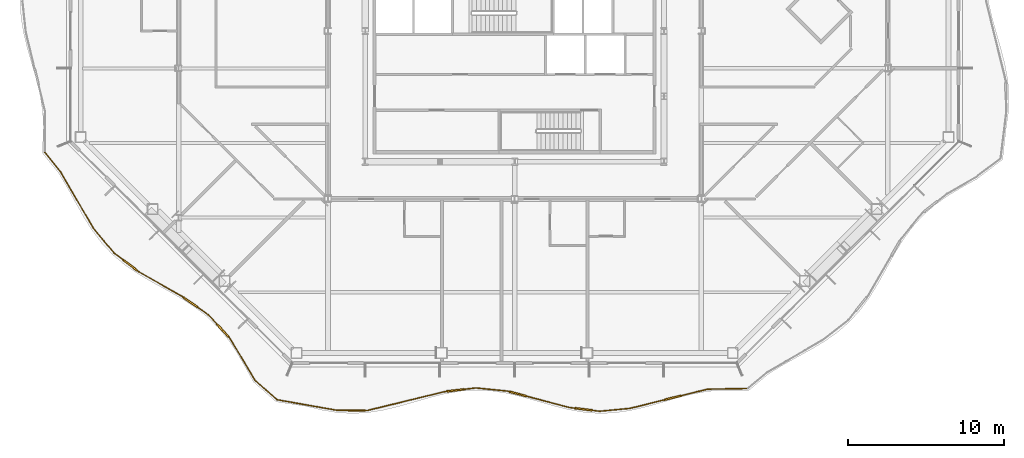
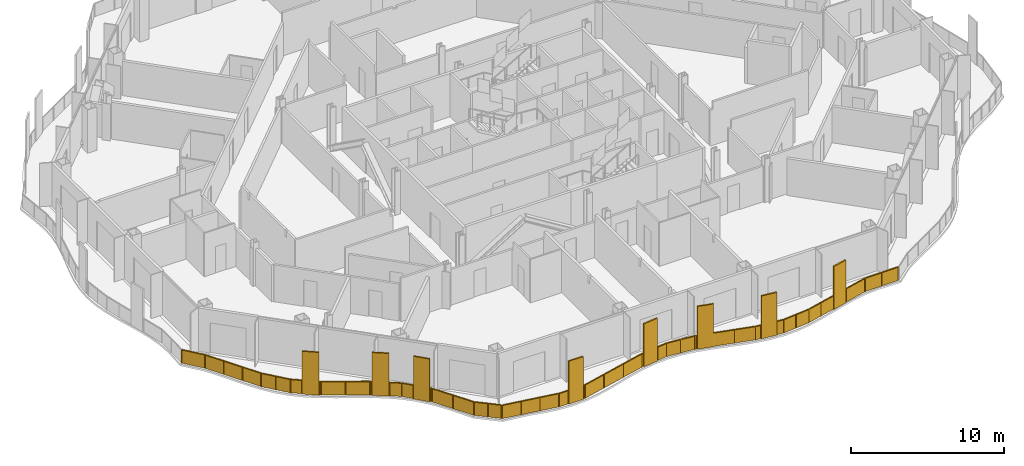
# One storey, part 15 of 21: 2 railings.
"""IFC4 building model written with IfcOpenShell, lengths in metres."""

from ifc_helpers import new_model, si_unit, direction, frame, origin, origin_2d, place, context, subcontext, project, spatial, polyline, rectangle, outline, extrude, material, type_object, element, save


model = new_model("IFC4")

# Units and contexts
model_context = context("Model", 3, precision=1e-05, world=origin(), true_north=direction((0.0, 1.0)))
body_context = subcontext(model_context, "Body", "Model", "MODEL_VIEW")
ifc_project = project(units=[si_unit("LENGTHUNIT", "METRE"), si_unit("AREAUNIT", "SQUARE_METRE"), si_unit("VOLUMEUNIT", "CUBIC_METRE"), si_unit("PLANEANGLEUNIT", "RADIAN"), si_unit("MASSUNIT", "GRAM", prefix="KILO")], contexts=[model_context])

# Site, building, storey
site_placement = place(None, origin())
site = spatial("IfcSite", under=ifc_project, at=site_placement, CompositionType="ELEMENT")
building_placement = place(site_placement, origin())
building = spatial("IfcBuilding", under=site, at=building_placement, Name="Cairn Pilgrim Tower", CompositionType="ELEMENT")
storey_placement = place(building_placement, frame((0.0, 0.0, 132.60009765625)))
storey = spatial("IfcBuildingStorey", under=building, at=storey_placement, Name="L32", CompositionType="ELEMENT", Elevation=132.60009765625)

# Railings
ifc_material = material(Name="Bronze anodised aluminium rail, posts and fin screens with laminated glass infill", Category="aluminium")
railing_type = type_object("IfcRailingType", Name="BALCONY GUARD WITH FIN SCREENS", PredefinedType="GUARDRAIL", material=ifc_material)
railing_1_placement = place(storey_placement, frame((-8.064697265625, -21.3095703125, 0.0)))
element("IfcRailing", 1, at=railing_1_placement, inside=storey, type_object=railing_type, Name="Balcony guard BGF-1 with fin screens", PredefinedType="GUARDRAIL", context=body_context, shape_type="SweptSolid", body=[
    extrude(rectangle(XDim=0.050048828125, YDim=0.050048828125, at=origin_2d()), frame((0.0, 0.0, 1.0751953125), z_axis=(0.984775400771, -0.173831556503, 0.0), x_axis=(0.173831556503, 0.984775400771, 0.0)), (0.0, 0.0, 1.0), 3.9169921875),
    extrude(rectangle(XDim=1.10009765625, YDim=0.110107421875, at=origin_2d()), frame((5.1123046875, -0.684814453125, 0.0), z_axis=(0.0, 0.0, 1.0), x_axis=(0.999995126974, -0.003121862909, 0.0)), (0.0, 0.0, 1.0), 3.39990234375),
    extrude(rectangle(XDim=0.050048828125, YDim=0.050048828125, at=origin_2d()), frame((3.857421875, -0.680908203125, 1.0751953125), z_axis=(0.999995126974, -0.003121862909, 0.0), x_axis=(0.003121862909, 0.999995126974, 0.0)), (0.0, 0.0, 1.0), 0.704833984375),
    extrude(rectangle(XDim=0.050048828125, YDim=0.050048828125, at=origin_2d()), frame((5.662353515625, -0.6865234375, 1.0751953125), z_axis=(0.999995126974, -0.003121862909, 0.0), x_axis=(0.003121862909, 0.999995126974, 0.0)), (0.0, 0.0, 1.0), 0.150146484375),
    extrude(rectangle(XDim=0.050048828125, YDim=0.050048828125, at=origin_2d()), frame((5.8125, -0.68701171875, 1.0751953125), z_axis=(0.971462007462, 0.237195210865, 0.0), x_axis=(-0.237195210865, 0.971462007462, 0.0)), (0.0, 0.0, 1.0), 5.10205078125),
    extrude(rectangle(XDim=1.10009765625, YDim=0.110107421875, at=origin_2d()), frame((11.46435546875, 0.60498046875, 0.0), z_axis=(0.0, 0.0, 1.0), x_axis=(0.993142374763, 0.116911177612, 0.0)), (0.0, 0.0, 1.0), 3.39990234375),
    extrude(rectangle(XDim=0.050048828125, YDim=0.050048828125, at=origin_2d()), frame((10.76904296875, 0.523193359375, 1.0751953125), z_axis=(0.993142374763, 0.116911177612, 0.0), x_axis=(-0.116911177612, 0.993142374763, 0.0)), (0.0, 0.0, 1.0), 0.14990234375),
    extrude(rectangle(XDim=0.050048828125, YDim=0.050048828125, at=origin_2d()), frame((12.010498046875, 0.66943359375, 1.0751953125), z_axis=(0.993142374763, 0.116911177612, 0.0), x_axis=(-0.116911177612, 0.993142374763, 0.0)), (0.0, 0.0, 1.0), 0.775634765625),
    extrude(rectangle(XDim=0.050048828125, YDim=0.050048828125, at=origin_2d()), frame((12.78076171875, 0.760009765625, 1.0751953125), z_axis=(0.994990516687, -0.099969353816, 0.0), x_axis=(0.099969353816, 0.994990516687, 0.0)), (0.0, 0.0, 1.0), 2.024658203125),
    extrude(rectangle(XDim=1.10009765625, YDim=0.110107421875, at=origin_2d()), frame((15.4716796875, 0.378173828125, 0.0), z_axis=(0.0, 0.0, 1.0), x_axis=(0.966567264802, -0.256413187284, 0.0)), (0.0, 0.0, 1.0), 3.39990234375),
    extrude(rectangle(XDim=0.050048828125, YDim=0.050048828125, at=origin_2d()), frame((14.795166015625, 0.5576171875, 1.0751953125), z_axis=(0.966567264802, -0.256413187284, 0.0), x_axis=(0.256413187284, 0.966567264802, 0.0)), (0.0, 0.0, 1.0), 0.14990234375),
    extrude(rectangle(XDim=0.050048828125, YDim=0.050048828125, at=origin_2d()), frame((16.003173828125, 0.237060546875, 1.0751953125), z_axis=(0.966567264802, -0.256413187284, 0.0), x_axis=(0.256413187284, 0.966567264802, 0.0)), (0.0, 0.0, 1.0), 2.861572265625),
    extrude(rectangle(XDim=1.10009765625, YDim=0.110107421875, at=origin_2d()), frame((19.6982421875, -0.611328125, 0.0), z_axis=(0.0, 0.0, 1.0), x_axis=(0.992466903496, -0.122513042023, 0.0)), (0.0, 0.0, 1.0), 3.39990234375),
    extrude(rectangle(XDim=0.050048828125, YDim=0.050048828125, at=origin_2d()), frame((18.76904296875, -0.49658203125, 1.0751953125), z_axis=(0.992466903496, -0.122513042023, 0.0), x_axis=(0.122513042023, 0.992466903496, 0.0)), (0.0, 0.0, 1.0), 0.38623046875),
    extrude(rectangle(XDim=0.050048828125, YDim=0.050048828125, at=origin_2d()), frame((20.244140625, -0.6787109375, 1.0751953125), z_axis=(0.992466903496, -0.122513042023, 0.0), x_axis=(0.122513042023, 0.992466903496, 0.0)), (0.0, 0.0, 1.0), 0.488525390625),
    extrude(rectangle(XDim=0.050048828125, YDim=0.050048828125, at=origin_2d()), frame((20.72900390625, -0.738525390625, 1.0751953125), z_axis=(0.995554949004, 0.094182501096, 0.0), x_axis=(-0.094182501096, 0.995554949004, 0.0)), (0.0, 0.0, 1.0), 1.967529296875),
    extrude(rectangle(XDim=1.10009765625, YDim=0.110107421875, at=origin_2d()), frame((25.4189453125, 0.1240234375, 0.0), z_axis=(0.0, 0.0, 1.0), x_axis=(0.970606172958, 0.240673340893, 0.0)), (0.0, 0.0, 1.0), 3.39990234375),
    extrude(rectangle(XDim=0.050048828125, YDim=0.050048828125, at=origin_2d()), frame((22.687744140625, -0.55322265625, 1.0751953125), z_axis=(0.970606172958, 0.240673340893, 0.0), x_axis=(-0.240673340893, 0.970606172958, 0.0)), (0.0, 0.0, 1.0), 2.263916015625),
    extrude(rectangle(XDim=0.050048828125, YDim=0.050048828125, at=origin_2d()), frame((25.952880859375, 0.25634765625, 1.0751953125), z_axis=(0.970606172958, 0.240673340893, 0.0), x_axis=(-0.240673340893, 0.970606172958, 0.0)), (0.0, 0.0, 1.0), 1.7578125),
    extrude(rectangle(XDim=0.050048828125, YDim=0.050048828125, at=origin_2d()), frame((27.658935546875, 0.679443359375, 1.0751953125), z_axis=(0.999865108932, 0.016424492078, 0.0), x_axis=(-0.016424492078, 0.999865108932, 0.0)), (0.0, 0.0, 1.0), 2.52685546875),
    extrude(rectangle(XDim=0.050048828125, YDim=0.050048828125, at=origin_2d()), origin(), (0.0, 0.0, 1.0), 1.050048828125),
    extrude(rectangle(XDim=0.050048828125, YDim=0.050048828125, at=origin_2d()), frame((1.285888671875, -0.22705078125, 0.0)), (0.0, 0.0, 1.0), 1.050048828125),
    extrude(rectangle(XDim=0.050048828125, YDim=0.050048828125, at=origin_2d()), frame((2.571533203125, -0.453857421875, 0.0)), (0.0, 0.0, 1.0), 1.050048828125),
    extrude(rectangle(XDim=0.050048828125, YDim=0.050048828125, at=origin_2d()), frame((3.857421875, -0.680908203125, 0.0)), (0.0, 0.0, 1.0), 1.050048828125),
    extrude(rectangle(XDim=0.050048828125, YDim=0.050048828125, at=origin_2d()), frame((4.537353515625, -0.68310546875, 0.0)), (0.0, 0.0, 1.0), 1.050048828125),
    extrude(rectangle(XDim=0.050048828125, YDim=0.050048828125, at=origin_2d()), frame((5.6875, -0.6865234375, 0.0)), (0.0, 0.0, 1.0), 1.050048828125),
    extrude(rectangle(XDim=0.050048828125, YDim=0.050048828125, at=origin_2d()), frame((5.8125, -0.68701171875, 0.0)), (0.0, 0.0, 1.0), 1.050048828125),
    extrude(rectangle(XDim=0.050048828125, YDim=0.050048828125, at=origin_2d()), frame((7.464599609375, -0.28369140625, 0.0)), (0.0, 0.0, 1.0), 1.050048828125),
    extrude(rectangle(XDim=0.050048828125, YDim=0.050048828125, at=origin_2d()), frame((9.116943359375, 0.119873046875, 0.0)), (0.0, 0.0, 1.0), 1.050048828125),
    extrude(rectangle(XDim=0.050048828125, YDim=0.050048828125, at=origin_2d()), frame((10.76904296875, 0.523193359375, 0.0)), (0.0, 0.0, 1.0), 1.050048828125),
    extrude(rectangle(XDim=0.050048828125, YDim=0.050048828125, at=origin_2d()), frame((10.89306640625, 0.537841796875, 0.0)), (0.0, 0.0, 1.0), 1.050048828125),
    extrude(rectangle(XDim=0.050048828125, YDim=0.050048828125, at=origin_2d()), frame((12.035400390625, 0.67236328125, 0.0)), (0.0, 0.0, 1.0), 1.050048828125),
    extrude(rectangle(XDim=0.050048828125, YDim=0.050048828125, at=origin_2d()), frame((12.78076171875, 0.760009765625, 0.0)), (0.0, 0.0, 1.0), 1.050048828125),
    extrude(rectangle(XDim=0.050048828125, YDim=0.050048828125, at=origin_2d()), frame((13.7880859375, 0.65869140625, 0.0)), (0.0, 0.0, 1.0), 1.050048828125),
    extrude(rectangle(XDim=0.050048828125, YDim=0.050048828125, at=origin_2d()), frame((14.795166015625, 0.5576171875, 0.0)), (0.0, 0.0, 1.0), 1.050048828125),
    extrude(rectangle(XDim=0.050048828125, YDim=0.050048828125, at=origin_2d()), frame((14.915771484375, 0.525634765625, 0.0)), (0.0, 0.0, 1.0), 1.050048828125),
    extrude(rectangle(XDim=0.050048828125, YDim=0.050048828125, at=origin_2d()), frame((16.02734375, 0.230712890625, 0.0)), (0.0, 0.0, 1.0), 1.050048828125),
    extrude(rectangle(XDim=0.050048828125, YDim=0.050048828125, at=origin_2d()), frame((17.398193359375, -0.1328125, 0.0)), (0.0, 0.0, 1.0), 1.050048828125),
    extrude(rectangle(XDim=0.050048828125, YDim=0.050048828125, at=origin_2d()), frame((18.76904296875, -0.49658203125, 0.0)), (0.0, 0.0, 1.0), 1.050048828125),
    extrude(rectangle(XDim=0.050048828125, YDim=0.050048828125, at=origin_2d()), frame((19.12744140625, -0.540771484375, 0.0)), (0.0, 0.0, 1.0), 1.050048828125),
    extrude(rectangle(XDim=0.050048828125, YDim=0.050048828125, at=origin_2d()), frame((20.268798828125, -0.681640625, 0.0)), (0.0, 0.0, 1.0), 1.050048828125),
    extrude(rectangle(XDim=0.050048828125, YDim=0.050048828125, at=origin_2d()), frame((20.72900390625, -0.738525390625, 0.0)), (0.0, 0.0, 1.0), 1.050048828125),
    extrude(rectangle(XDim=0.050048828125, YDim=0.050048828125, at=origin_2d()), frame((21.70849609375, -0.64599609375, 0.0)), (0.0, 0.0, 1.0), 1.050048828125),
    extrude(rectangle(XDim=0.050048828125, YDim=0.050048828125, at=origin_2d()), frame((22.687744140625, -0.55322265625, 0.0)), (0.0, 0.0, 1.0), 1.050048828125),
    extrude(rectangle(XDim=0.050048828125, YDim=0.050048828125, at=origin_2d()), frame((23.774169921875, -0.28369140625, 0.0)), (0.0, 0.0, 1.0), 1.050048828125),
    extrude(rectangle(XDim=0.050048828125, YDim=0.050048828125, at=origin_2d()), frame((24.86083984375, -0.014404296875, 0.0)), (0.0, 0.0, 1.0), 1.050048828125),
    extrude(rectangle(XDim=0.050048828125, YDim=0.050048828125, at=origin_2d()), frame((25.97705078125, 0.262451171875, 0.0)), (0.0, 0.0, 1.0), 1.050048828125),
    extrude(rectangle(XDim=0.050048828125, YDim=0.050048828125, at=origin_2d()), frame((27.658935546875, 0.679443359375, 0.0)), (0.0, 0.0, 1.0), 1.050048828125),
    extrude(rectangle(XDim=0.050048828125, YDim=0.050048828125, at=origin_2d()), frame((28.92236328125, 0.7001953125, 0.0)), (0.0, 0.0, 1.0), 1.050048828125),
    extrude(rectangle(XDim=0.050048828125, YDim=0.050048828125, at=origin_2d()), frame((30.185546875, 0.720947265625, 0.0)), (0.0, 0.0, 1.0), 1.050048828125),
    extrude(outline(polyline([(0.02490234375, 0.0), (1.28076171875, 0.0), (1.28076171875, 1.050048828125), (0.02490234375, 1.050048828125), (0.02490234375, 0.0)])), frame((0.0009765625, 0.005859375, 0.0), z_axis=(-0.173831556503, -0.984775400771, 0.0), x_axis=(0.984775400771, -0.173831556503, 0.0)), (0.0, 0.0, 1.0), 0.011962890625),
    extrude(outline(polyline([(0.02490234375, 0.0), (1.28076171875, 0.0), (1.28076171875, 1.050048828125), (0.02490234375, 1.050048828125), (0.02490234375, 0.0)])), frame((1.286865234375, -0.22119140625, 0.0), z_axis=(-0.173831556503, -0.984775400771, 0.0), x_axis=(0.984775400771, -0.173831556503, 0.0)), (0.0, 0.0, 1.0), 0.011962890625),
    extrude(outline(polyline([(0.02490234375, 0.0), (1.28076171875, 0.0), (1.28076171875, 1.050048828125), (0.02490234375, 1.050048828125), (0.02490234375, 0.0)])), frame((2.57275390625, -0.447998046875, 0.0), z_axis=(-0.173831556503, -0.984775400771, 0.0), x_axis=(0.984775400771, -0.173831556503, 0.0)), (0.0, 0.0, 1.0), 0.011962890625),
    extrude(outline(polyline([(0.02490234375, 0.0), (0.65478515625, 0.0), (0.65478515625, 1.050048828125), (0.02490234375, 1.050048828125), (0.02490234375, 0.0)])), frame((3.857421875, -0.675048828125, 0.0), z_axis=(-0.003121862909, -0.999995126974, 0.0), x_axis=(0.999995126974, -0.003121862909, 0.0)), (0.0, 0.0, 1.0), 0.011962890625),
    extrude(outline(polyline([(0.02490234375, 0.0), (0.10009765625, 0.0), (0.10009765625, 1.050048828125), (0.02490234375, 1.050048828125), (0.02490234375, 0.0)])), frame((5.6875, -0.6806640625, 0.0), z_axis=(-0.003121862909, -0.999995126974, 0.0), x_axis=(0.999995126974, -0.003121862909, 0.0)), (0.0, 0.0, 1.0), 0.011962890625),
    extrude(outline(polyline([(0.02490234375, 0.0), (1.67578125, 0.0), (1.67578125, 1.050048828125), (0.02490234375, 1.050048828125), (0.02490234375, 0.0)])), frame((5.81103515625, -0.68115234375, 0.0), z_axis=(0.237195210865, -0.971462007462, 0.0), x_axis=(0.971462007462, 0.237195210865, 0.0)), (0.0, 0.0, 1.0), 0.011962890625),
    extrude(outline(polyline([(0.02490234375, 0.0), (1.67578125, 0.0), (1.67578125, 1.050048828125), (0.02490234375, 1.050048828125), (0.02490234375, 0.0)])), frame((7.46337890625, -0.27783203125, 0.0), z_axis=(0.237195210865, -0.971462007462, 0.0), x_axis=(0.971462007462, 0.237195210865, 0.0)), (0.0, 0.0, 1.0), 0.011962890625),
    extrude(outline(polyline([(0.02490234375, 0.0), (1.67578125, 0.0), (1.67578125, 1.050048828125), (0.02490234375, 1.050048828125), (0.02490234375, 0.0)])), frame((9.115478515625, 0.12548828125, 0.0), z_axis=(0.237195210865, -0.971462007462, 0.0), x_axis=(0.971462007462, 0.237195210865, 0.0)), (0.0, 0.0, 1.0), 0.011962890625),
    extrude(outline(polyline([(0.02490234375, 0.0), (0.099853515625, 0.0), (0.099853515625, 1.050048828125), (0.02490234375, 1.050048828125), (0.02490234375, 0.0)])), frame((10.768310546875, 0.529052734375, 0.0), z_axis=(0.116911177612, -0.993142374763, 0.0), x_axis=(0.993142374763, 0.116911177612, 0.0)), (0.0, 0.0, 1.0), 0.011962890625),
    extrude(outline(polyline([(0.02490234375, 0.0), (0.7255859375, 0.0), (0.7255859375, 1.050048828125), (0.02490234375, 1.050048828125), (0.02490234375, 0.0)])), frame((12.03466796875, 0.67822265625, 0.0), z_axis=(0.116911177612, -0.993142374763, 0.0), x_axis=(0.993142374763, 0.116911177612, 0.0)), (0.0, 0.0, 1.0), 0.011962890625),
    extrude(outline(polyline([(0.02490234375, 0.0), (0.9873046875, 0.0), (0.9873046875, 1.050048828125), (0.02490234375, 1.050048828125), (0.02490234375, 0.0)])), frame((12.78125, 0.765869140625, 0.0), z_axis=(-0.099969353816, -0.994990516687, 0.0), x_axis=(0.994990516687, -0.099969353816, 0.0)), (0.0, 0.0, 1.0), 0.011962890625),
    extrude(outline(polyline([(0.02490234375, 0.0), (0.9873046875, 0.0), (0.9873046875, 1.050048828125), (0.02490234375, 1.050048828125), (0.02490234375, 0.0)])), frame((13.78857421875, 0.664794921875, 0.0), z_axis=(-0.099969353816, -0.994990516687, 0.0), x_axis=(0.994990516687, -0.099969353816, 0.0)), (0.0, 0.0, 1.0), 0.011962890625),
    extrude(outline(polyline([(0.02490234375, 0.0), (0.099853515625, 0.0), (0.099853515625, 1.050048828125), (0.02490234375, 1.050048828125), (0.02490234375, 0.0)])), frame((14.796630859375, 0.5634765625, 0.0), z_axis=(-0.256413187284, -0.966567264802, 0.0), x_axis=(0.966567264802, -0.256413187284, 0.0)), (0.0, 0.0, 1.0), 0.011962890625),
    extrude(outline(polyline([(0.02490234375, 0.0), (1.393310546875, 0.0), (1.393310546875, 1.050048828125), (0.02490234375, 1.050048828125), (0.02490234375, 0.0)])), frame((16.029052734375, 0.236572265625, 0.0), z_axis=(-0.256413187284, -0.966567264802, 0.0), x_axis=(0.966567264802, -0.256413187284, 0.0)), (0.0, 0.0, 1.0), 0.011962890625),
    extrude(outline(polyline([(0.02490234375, 0.0), (1.393310546875, 0.0), (1.393310546875, 1.050048828125), (0.02490234375, 1.050048828125), (0.02490234375, 0.0)])), frame((17.399658203125, -0.127197265625, 0.0), z_axis=(-0.256413187284, -0.966567264802, 0.0), x_axis=(0.966567264802, -0.256413187284, 0.0)), (0.0, 0.0, 1.0), 0.011962890625),
    extrude(outline(polyline([(0.02490234375, 0.0), (0.336181640625, 0.0), (0.336181640625, 1.050048828125), (0.02490234375, 1.050048828125), (0.02490234375, 0.0)])), frame((18.769775390625, -0.49072265625, 0.0), z_axis=(-0.122513042023, -0.992466903496, 0.0), x_axis=(0.992466903496, -0.122513042023, 0.0)), (0.0, 0.0, 1.0), 0.011962890625),
    extrude(outline(polyline([(0.02490234375, 0.0), (0.4384765625, 0.0), (0.4384765625, 1.050048828125), (0.02490234375, 1.050048828125), (0.02490234375, 0.0)])), frame((20.26953125, -0.67578125, 0.0), z_axis=(-0.122513042023, -0.992466903496, 0.0), x_axis=(0.992466903496, -0.122513042023, 0.0)), (0.0, 0.0, 1.0), 0.011962890625),
    extrude(outline(polyline([(0.02490234375, 0.0), (0.958740234375, 0.0), (0.958740234375, 1.050048828125), (0.02490234375, 1.050048828125), (0.02490234375, 0.0)])), frame((20.728515625, -0.732666015625, 0.0), z_axis=(0.094182501096, -0.995554949004, 0.0), x_axis=(0.995554949004, 0.094182501096, 0.0)), (0.0, 0.0, 1.0), 0.011962890625),
    extrude(outline(polyline([(0.02490234375, 0.0), (0.958740234375, 0.0), (0.958740234375, 1.050048828125), (0.02490234375, 1.050048828125), (0.02490234375, 0.0)])), frame((21.707763671875, -0.639892578125, 0.0), z_axis=(0.094182501096, -0.995554949004, 0.0), x_axis=(0.995554949004, 0.094182501096, 0.0)), (0.0, 0.0, 1.0), 0.011962890625),
    extrude(outline(polyline([(0.02490234375, 0.0), (1.094482421875, 0.0), (1.094482421875, 1.050048828125), (0.02490234375, 1.050048828125), (0.02490234375, 0.0)])), frame((22.686279296875, -0.54736328125, 0.0), z_axis=(0.240673340893, -0.970606172958, 0.0), x_axis=(0.970606172958, 0.240673340893, 0.0)), (0.0, 0.0, 1.0), 0.011962890625),
    extrude(outline(polyline([(0.02490234375, 0.0), (1.094482421875, 0.0), (1.094482421875, 1.050048828125), (0.02490234375, 1.050048828125), (0.02490234375, 0.0)])), frame((23.77294921875, -0.278076171875, 0.0), z_axis=(0.240673340893, -0.970606172958, 0.0), x_axis=(0.970606172958, 0.240673340893, 0.0)), (0.0, 0.0, 1.0), 0.011962890625),
    extrude(outline(polyline([(0.02490234375, 0.0), (1.707763671875, 0.0), (1.707763671875, 1.050048828125), (0.02490234375, 1.050048828125), (0.02490234375, 0.0)])), frame((25.9755859375, 0.268310546875, 0.0), z_axis=(0.240673340893, -0.970606172958, 0.0), x_axis=(0.970606172958, 0.240673340893, 0.0)), (0.0, 0.0, 1.0), 0.011962890625),
    extrude(outline(polyline([(0.02490234375, 0.0), (1.238525390625, 0.0), (1.238525390625, 1.050048828125), (0.02490234375, 1.050048828125), (0.02490234375, 0.0)])), frame((27.658935546875, 0.685302734375, 0.0), z_axis=(0.016424492078, -0.999865108932, 0.0), x_axis=(0.999865108932, 0.016424492078, 0.0)), (0.0, 0.0, 1.0), 0.011962890625),
    extrude(outline(polyline([(0.02490234375, 0.0), (1.238525390625, 0.0), (1.238525390625, 1.050048828125), (0.02490234375, 1.050048828125), (0.02490234375, 0.0)])), frame((28.922119140625, 0.7060546875, 0.0), z_axis=(0.016424492078, -0.999865108932, 0.0), x_axis=(0.999865108932, 0.016424492078, 0.0)), (0.0, 0.0, 1.0), 0.011962890625),
])
railing_2_placement = place(storey_placement, frame((-23.017822265625, -5.39697265625, 0.0)))
element("IfcRailing", 2, at=railing_2_placement, inside=storey, type_object=railing_type, Name="Balcony guard BGF-8 with fin screens", PredefinedType="GUARDRAIL", context=body_context, shape_type="SweptSolid", body=[
    extrude(rectangle(XDim=0.050048828125, YDim=0.050048828125, at=origin_2d()), frame((0.0, 0.0, 1.0751953125), z_axis=(0.629309918739, -0.777154441651, 0.0), x_axis=(0.777154441651, 0.629309918739, 0.0)), (0.0, 0.0, 1.0), 1.634765625),
    extrude(rectangle(XDim=0.050048828125, YDim=0.050048828125, at=origin_2d()), frame((1.02880859375, -1.2705078125, 1.0751953125), z_axis=(0.503445573056, -0.864026941113, 0.0), x_axis=(0.864026941113, 0.503445573056, 0.0)), (0.0, 0.0, 1.0), 4.210693359375),
    extrude(rectangle(XDim=0.050048828125, YDim=0.050048828125, at=origin_2d()), frame((3.148681640625, -4.90869140625, 1.0751953125), z_axis=(0.642279505627, -0.766470506055, 0.0), x_axis=(0.766470506055, 0.642279505627, 0.0)), (0.0, 0.0, 1.0), 2.014892578125),
    extrude(rectangle(XDim=1.10009765625, YDim=0.110107421875, at=origin_2d()), frame((5.498291015625, -7.2587890625, 0.0), z_axis=(0.0, 0.0, 1.0), x_axis=(0.794856499993, -0.606797449252, 0.0)), (0.0, 0.0, 1.0), 3.39990234375),
    extrude(rectangle(XDim=0.050048828125, YDim=0.050048828125, at=origin_2d()), frame((4.44287109375, -6.453125, 1.0751953125), z_axis=(0.794856499993, -0.606797449252, 0.0), x_axis=(0.606797449252, 0.794856499993, 0.0)), (0.0, 0.0, 1.0), 0.77783203125),
    extrude(rectangle(XDim=0.050048828125, YDim=0.050048828125, at=origin_2d()), frame((5.935546875, -7.592529296875, 1.0751953125), z_axis=(0.794856499993, -0.606797449252, 0.0), x_axis=(0.606797449252, 0.794856499993, 0.0)), (0.0, 0.0, 1.0), 0.14990234375),
    extrude(rectangle(XDim=0.050048828125, YDim=0.050048828125, at=origin_2d()), frame((6.0546875, -7.68359375, 1.0751953125), z_axis=(0.869823660525, -0.493362746457, 0.0), x_axis=(0.493362746457, 0.869823660525, 0.0)), (0.0, 0.0, 1.0), 3.166015625),
    extrude(rectangle(XDim=1.10009765625, YDim=0.110107421875, at=origin_2d()), frame((9.38134765625, -9.648193359375, 0.0), z_axis=(0.0, 0.0, 1.0), x_axis=(0.818237718742, -0.574880018463, 0.0)), (0.0, 0.0, 1.0), 3.39990234375),
    extrude(rectangle(XDim=0.050048828125, YDim=0.050048828125, at=origin_2d()), frame((8.80859375, -9.24560546875, 1.0751953125), z_axis=(0.818237718742, -0.574880018463, 0.0), x_axis=(0.574880018463, 0.818237718742, 0.0)), (0.0, 0.0, 1.0), 0.150146484375),
    extrude(rectangle(XDim=0.050048828125, YDim=0.050048828125, at=origin_2d()), frame((9.83154296875, -9.96435546875, 1.0751953125), z_axis=(0.818237718742, -0.574880018463, 0.0), x_axis=(0.574880018463, 0.818237718742, 0.0)), (0.0, 0.0, 1.0), 0.840576171875),
    extrude(rectangle(XDim=1.10009765625, YDim=0.110107421875, at=origin_2d()), frame((11.447265625, -11.455078125, 0.0), z_axis=(0.0, 0.0, 1.0), x_axis=(0.677432088372, -0.735585321798, 0.0)), (0.0, 0.0, 1.0), 3.39990234375),
    extrude(rectangle(XDim=0.050048828125, YDim=0.050048828125, at=origin_2d()), frame((10.519287109375, -10.447509765625, 1.0751953125), z_axis=(0.677432088372, -0.735585321798, 0.0), x_axis=(0.735585321798, 0.677432088372, 0.0)), (0.0, 0.0, 1.0), 0.81982421875),
    extrude(rectangle(XDim=0.050048828125, YDim=0.050048828125, at=origin_2d()), frame((11.81982421875, -11.85986328125, 1.0751953125), z_axis=(0.677432088372, -0.735585321798, 0.0), x_axis=(0.735585321798, 0.677432088372, 0.0)), (0.0, 0.0, 1.0), 0.14990234375),
    extrude(rectangle(XDim=0.050048828125, YDim=0.050048828125, at=origin_2d()), frame((11.92138671875, -11.969970703125, 1.0751953125), z_axis=(0.512632145142, -0.85860834131, 0.0), x_axis=(0.85860834131, 0.512632145142, 0.0)), (0.0, 0.0, 1.0), 3.142333984375),
    extrude(rectangle(XDim=0.050048828125, YDim=0.050048828125, at=origin_2d()), frame((13.5322265625, -14.66796875, 1.0751953125), z_axis=(0.752221003136, -0.658910891123, 0.0), x_axis=(0.658910891123, 0.752221003136, 0.0)), (0.0, 0.0, 1.0), 1.828857421875),
    extrude(rectangle(XDim=0.050048828125, YDim=0.050048828125, at=origin_2d()), origin(), (0.0, 0.0, 1.0), 1.050048828125),
    extrude(rectangle(XDim=0.050048828125, YDim=0.050048828125, at=origin_2d()), frame((1.02880859375, -1.2705078125, 0.0)), (0.0, 0.0, 1.0), 1.050048828125),
    extrude(rectangle(XDim=0.050048828125, YDim=0.050048828125, at=origin_2d()), frame((1.7353515625, -2.483154296875, 0.0)), (0.0, 0.0, 1.0), 1.050048828125),
    extrude(rectangle(XDim=0.050048828125, YDim=0.050048828125, at=origin_2d()), frame((2.442138671875, -3.696044921875, 0.0)), (0.0, 0.0, 1.0), 1.050048828125),
    extrude(rectangle(XDim=0.050048828125, YDim=0.050048828125, at=origin_2d()), frame((3.148681640625, -4.90869140625, 0.0)), (0.0, 0.0, 1.0), 1.050048828125),
    extrude(rectangle(XDim=0.050048828125, YDim=0.050048828125, at=origin_2d()), frame((3.7958984375, -5.680908203125, 0.0)), (0.0, 0.0, 1.0), 1.050048828125),
    extrude(rectangle(XDim=0.050048828125, YDim=0.050048828125, at=origin_2d()), frame((4.44287109375, -6.453125, 0.0)), (0.0, 0.0, 1.0), 1.050048828125),
    extrude(rectangle(XDim=0.050048828125, YDim=0.050048828125, at=origin_2d()), frame((5.041259765625, -6.909912109375, 0.0)), (0.0, 0.0, 1.0), 1.050048828125),
    extrude(rectangle(XDim=0.050048828125, YDim=0.050048828125, at=origin_2d()), frame((5.955322265625, -7.60791015625, 0.0)), (0.0, 0.0, 1.0), 1.050048828125),
    extrude(rectangle(XDim=0.050048828125, YDim=0.050048828125, at=origin_2d()), frame((6.0546875, -7.68359375, 0.0)), (0.0, 0.0, 1.0), 1.050048828125),
    extrude(rectangle(XDim=0.050048828125, YDim=0.050048828125, at=origin_2d()), frame((7.431640625, -8.464599609375, 0.0)), (0.0, 0.0, 1.0), 1.050048828125),
    extrude(rectangle(XDim=0.050048828125, YDim=0.050048828125, at=origin_2d()), frame((8.80859375, -9.24560546875, 0.0)), (0.0, 0.0, 1.0), 1.050048828125),
    extrude(rectangle(XDim=0.050048828125, YDim=0.050048828125, at=origin_2d()), frame((8.910888671875, -9.317626953125, 0.0)), (0.0, 0.0, 1.0), 1.050048828125),
    extrude(rectangle(XDim=0.050048828125, YDim=0.050048828125, at=origin_2d()), frame((9.85205078125, -9.978759765625, 0.0)), (0.0, 0.0, 1.0), 1.050048828125),
    extrude(rectangle(XDim=0.050048828125, YDim=0.050048828125, at=origin_2d()), frame((10.519287109375, -10.447509765625, 0.0)), (0.0, 0.0, 1.0), 1.050048828125),
    extrude(rectangle(XDim=0.050048828125, YDim=0.050048828125, at=origin_2d()), frame((11.057861328125, -11.0322265625, 0.0)), (0.0, 0.0, 1.0), 1.050048828125),
    extrude(rectangle(XDim=0.050048828125, YDim=0.050048828125, at=origin_2d()), frame((11.8369140625, -11.878173828125, 0.0)), (0.0, 0.0, 1.0), 1.050048828125),
    extrude(rectangle(XDim=0.050048828125, YDim=0.050048828125, at=origin_2d()), frame((11.92138671875, -11.969970703125, 0.0)), (0.0, 0.0, 1.0), 1.050048828125),
    extrude(rectangle(XDim=0.050048828125, YDim=0.050048828125, at=origin_2d()), frame((12.726806640625, -13.31884765625, 0.0)), (0.0, 0.0, 1.0), 1.050048828125),
    extrude(rectangle(XDim=0.050048828125, YDim=0.050048828125, at=origin_2d()), frame((13.5322265625, -14.66796875, 0.0)), (0.0, 0.0, 1.0), 1.050048828125),
    extrude(rectangle(XDim=0.050048828125, YDim=0.050048828125, at=origin_2d()), frame((14.22021484375, -15.2705078125, 0.0)), (0.0, 0.0, 1.0), 1.050048828125),
    extrude(rectangle(XDim=0.050048828125, YDim=0.050048828125, at=origin_2d()), frame((14.907958984375, -15.873046875, 0.0)), (0.0, 0.0, 1.0), 1.050048828125),
    extrude(outline(polyline([(0.02490234375, 0.0), (1.60986328125, 0.0), (1.60986328125, 1.050048828125), (0.02490234375, 1.050048828125), (0.02490234375, 0.0)])), frame((0.004638671875, 0.003662109375, 0.0), z_axis=(-0.777154441651, -0.629309918739, 0.0), x_axis=(0.629309918739, -0.777154441651, 0.0)), (0.0, 0.0, 1.0), 0.011962890625),
    extrude(outline(polyline([(0.02490234375, 0.0), (1.378662109375, 0.0), (1.378662109375, 1.050048828125), (0.02490234375, 1.050048828125), (0.02490234375, 0.0)])), frame((1.033935546875, -1.267578125, 0.0), z_axis=(-0.864026941113, -0.503445573056, 0.0), x_axis=(0.503445573056, -0.864026941113, 0.0)), (0.0, 0.0, 1.0), 0.011962890625),
    extrude(outline(polyline([(0.02490234375, 0.0), (1.378662109375, 0.0), (1.378662109375, 1.050048828125), (0.02490234375, 1.050048828125), (0.02490234375, 0.0)])), frame((1.74072265625, -2.480224609375, 0.0), z_axis=(-0.864026941113, -0.503445573056, 0.0), x_axis=(0.503445573056, -0.864026941113, 0.0)), (0.0, 0.0, 1.0), 0.011962890625),
    extrude(outline(polyline([(0.02490234375, 0.0), (1.378662109375, 0.0), (1.378662109375, 1.050048828125), (0.02490234375, 1.050048828125), (0.02490234375, 0.0)])), frame((2.447265625, -3.69287109375, 0.0), z_axis=(-0.864026941113, -0.503445573056, 0.0), x_axis=(0.503445573056, -0.864026941113, 0.0)), (0.0, 0.0, 1.0), 0.011962890625),
    extrude(outline(polyline([(0.02490234375, 0.0), (0.982421875, 0.0), (0.982421875, 1.050048828125), (0.02490234375, 1.050048828125), (0.02490234375, 0.0)])), frame((3.1533203125, -4.90478515625, 0.0), z_axis=(-0.766470506055, -0.642279505627, 0.0), x_axis=(0.642279505627, -0.766470506055, 0.0)), (0.0, 0.0, 1.0), 0.011962890625),
    extrude(outline(polyline([(0.02490234375, 0.0), (0.982421875, 0.0), (0.982421875, 1.050048828125), (0.02490234375, 1.050048828125), (0.02490234375, 0.0)])), frame((3.80029296875, -5.677001953125, 0.0), z_axis=(-0.766470506055, -0.642279505627, 0.0), x_axis=(0.642279505627, -0.766470506055, 0.0)), (0.0, 0.0, 1.0), 0.011962890625),
    extrude(outline(polyline([(0.02490234375, 0.0), (0.727783203125, 0.0), (0.727783203125, 1.050048828125), (0.02490234375, 1.050048828125), (0.02490234375, 0.0)])), frame((4.446533203125, -6.448486328125, 0.0), z_axis=(-0.606797449252, -0.794856499993, 0.0), x_axis=(0.794856499993, -0.606797449252, 0.0)), (0.0, 0.0, 1.0), 0.011962890625),
    extrude(outline(polyline([(0.02490234375, 0.0), (0.099853515625, 0.0), (0.099853515625, 1.050048828125), (0.02490234375, 1.050048828125), (0.02490234375, 0.0)])), frame((5.958984375, -7.60302734375, 0.0), z_axis=(-0.606797449252, -0.794856499993, 0.0), x_axis=(0.794856499993, -0.606797449252, 0.0)), (0.0, 0.0, 1.0), 0.011962890625),
    extrude(outline(polyline([(0.02490234375, 0.0), (1.55810546875, 0.0), (1.55810546875, 1.050048828125), (0.02490234375, 1.050048828125), (0.02490234375, 0.0)])), frame((6.0576171875, -7.678466796875, 0.0), z_axis=(-0.493362746457, -0.869823660525, 0.0), x_axis=(0.869823660525, -0.493362746457, 0.0)), (0.0, 0.0, 1.0), 0.011962890625),
    extrude(outline(polyline([(0.02490234375, 0.0), (1.55810546875, 0.0), (1.55810546875, 1.050048828125), (0.02490234375, 1.050048828125), (0.02490234375, 0.0)])), frame((7.4345703125, -8.45947265625, 0.0), z_axis=(-0.493362746457, -0.869823660525, 0.0), x_axis=(0.869823660525, -0.493362746457, 0.0)), (0.0, 0.0, 1.0), 0.011962890625),
    extrude(outline(polyline([(0.02490234375, 0.0), (0.10009765625, 0.0), (0.10009765625, 1.050048828125), (0.02490234375, 1.050048828125), (0.02490234375, 0.0)])), frame((8.81201171875, -9.24072265625, 0.0), z_axis=(-0.574880018463, -0.818237718742, 0.0), x_axis=(0.818237718742, -0.574880018463, 0.0)), (0.0, 0.0, 1.0), 0.011962890625),
    extrude(outline(polyline([(0.02490234375, 0.0), (0.79052734375, 0.0), (0.79052734375, 1.050048828125), (0.02490234375, 1.050048828125), (0.02490234375, 0.0)])), frame((9.85546875, -9.9736328125, 0.0), z_axis=(-0.574880018463, -0.818237718742, 0.0), x_axis=(0.818237718742, -0.574880018463, 0.0)), (0.0, 0.0, 1.0), 0.011962890625),
    extrude(outline(polyline([(0.02490234375, 0.0), (0.769775390625, 0.0), (0.769775390625, 1.050048828125), (0.02490234375, 1.050048828125), (0.02490234375, 0.0)])), frame((10.523681640625, -10.443359375, 0.0), z_axis=(-0.735585321798, -0.677432088372, 0.0), x_axis=(0.677432088372, -0.735585321798, 0.0)), (0.0, 0.0, 1.0), 0.011962890625),
    extrude(outline(polyline([(0.02490234375, 0.0), (0.099853515625, 0.0), (0.099853515625, 1.050048828125), (0.02490234375, 1.050048828125), (0.02490234375, 0.0)])), frame((11.84130859375, -11.8740234375, 0.0), z_axis=(-0.735585321798, -0.677432088372, 0.0), x_axis=(0.677432088372, -0.735585321798, 0.0)), (0.0, 0.0, 1.0), 0.011962890625),
    extrude(outline(polyline([(0.02490234375, 0.0), (1.546142578125, 0.0), (1.546142578125, 1.050048828125), (0.02490234375, 1.050048828125), (0.02490234375, 0.0)])), frame((11.926513671875, -11.966796875, 0.0), z_axis=(-0.85860834131, -0.512632145142, 0.0), x_axis=(0.512632145142, -0.85860834131, 0.0)), (0.0, 0.0, 1.0), 0.011962890625),
    extrude(outline(polyline([(0.02490234375, 0.0), (1.546142578125, 0.0), (1.546142578125, 1.050048828125), (0.02490234375, 1.050048828125), (0.02490234375, 0.0)])), frame((12.73193359375, -13.31591796875, 0.0), z_axis=(-0.85860834131, -0.512632145142, 0.0), x_axis=(0.512632145142, -0.85860834131, 0.0)), (0.0, 0.0, 1.0), 0.011962890625),
    extrude(outline(polyline([(0.02490234375, 0.0), (0.889404296875, 0.0), (0.889404296875, 1.050048828125), (0.02490234375, 1.050048828125), (0.02490234375, 0.0)])), frame((13.5361328125, -14.66357421875, 0.0), z_axis=(-0.658910891123, -0.752221003136, 0.0), x_axis=(0.752221003136, -0.658910891123, 0.0)), (0.0, 0.0, 1.0), 0.011962890625),
    extrude(outline(polyline([(0.02490234375, 0.0), (0.889404296875, 0.0), (0.889404296875, 1.050048828125), (0.02490234375, 1.050048828125), (0.02490234375, 0.0)])), frame((14.22412109375, -15.26611328125, 0.0), z_axis=(-0.658910891123, -0.752221003136, 0.0), x_axis=(0.752221003136, -0.658910891123, 0.0)), (0.0, 0.0, 1.0), 0.011962890625),
])

save(model, "model.ifc")
